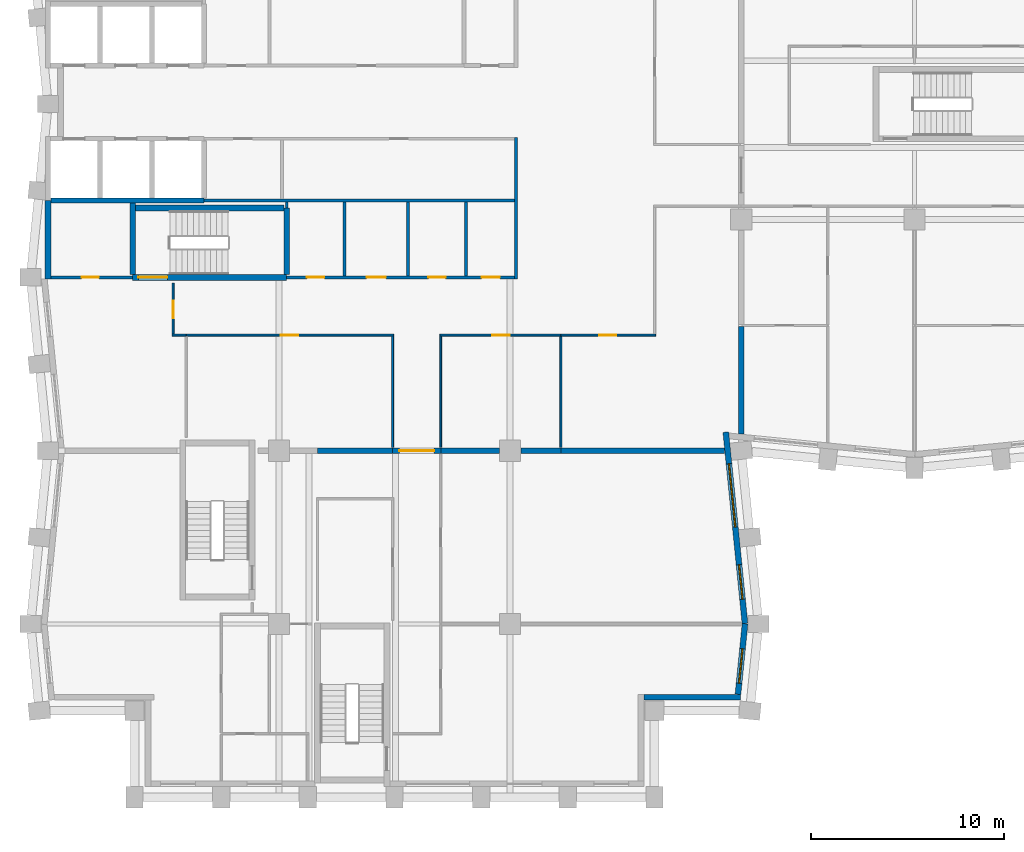
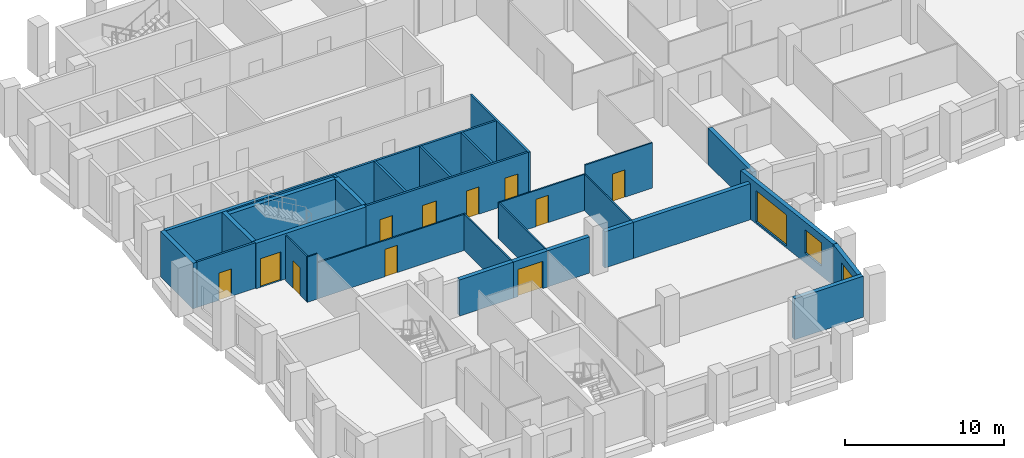
# One storey, part 4 of 10: 31 walls, 11 doors, 3 windows, 14 openings.
"""IFC4 building model written with IfcOpenShell, lengths in metres."""

from ifc_helpers import new_model, si_unit, direction, frame, frame_2d, origin, place, context, subcontext, project, spatial, rectangle, extrude, material, layer, layer_set, type_object, element, fill, save


model = new_model("IFC4")

# Units and contexts
model_context = context("Model", 3, precision=1e-05, world=origin(), true_north=direction((0.0, 1.0)))
body_context = subcontext(model_context, "Body", "Model", "MODEL_VIEW")
ifc_project = project(units=[si_unit("LENGTHUNIT", "METRE"), si_unit("AREAUNIT", "SQUARE_METRE"), si_unit("VOLUMEUNIT", "CUBIC_METRE"), si_unit("PLANEANGLEUNIT", "RADIAN"), si_unit("MASSUNIT", "GRAM", prefix="KILO")], contexts=[model_context])

# Site, building, storey
site_placement = place(None, origin())
site = spatial("IfcSite", under=ifc_project, at=site_placement, CompositionType="ELEMENT")
building_placement = place(site_placement, origin())
building = spatial("IfcBuilding", under=site, at=building_placement, Name="Brondeck Convention Tower", CompositionType="ELEMENT")
storey_placement = place(building_placement, frame((0.0, 0.0, 173.800048828125)))
storey = spatial("IfcBuildingStorey", under=building, at=storey_placement, Name="L42", CompositionType="ELEMENT", Elevation=173.800048828125)

# Wall
ifc_material_1 = material(Name="Concrete compartment wall C30/37", Category="concrete")
ifc_layer_1 = layer(ifc_material_1, 0.300048828125)
ifc_layer_set_1 = layer_set([ifc_layer_1], Name="Compartment wall 300")
wall_type_1 = type_object("IfcWallType", Name="Compartment wall 300", PredefinedType="PARTITIONING", material=ifc_layer_set_1)
wall_1_placement = place(storey_placement, frame((14.0, 27.0, 0.0), z_axis=(0.0, 0.0, 1.0), x_axis=(1.0, 0.0, 0.0)))
element("IfcWall", 1, at=wall_1_placement, inside=storey, type_object=wall_type_1, Name="FLR-L42-W023", PredefinedType="PARTITIONING", context=body_context, shape_type="SweptSolid", body=[
    extrude(rectangle(XDim=3.89990234375, YDim=0.300048828125, at=frame_2d((1.949951171875, 0.0))), origin(), (0.0, 0.0, 1.0), 2.780029296875),
])

# Wall, opening, door
wall_2_placement = place(storey_placement, frame((20.39990234375, 27.0, 0.0), z_axis=(0.0, 0.0, 1.0), x_axis=(-1.0, 0.0, 0.0)))
wall_2 = element("IfcWall", 2, at=wall_2_placement, inside=storey, type_object=wall_type_1, Name="FLR-L42-W024", PredefinedType="PARTITIONING", context=body_context, shape_type="SweptSolid", body=[
    extrude(rectangle(XDim=2.5, YDim=0.300048828125, at=frame_2d((1.25, 0.0))), origin(), (0.0, 0.0, 1.0), 2.780029296875),
])
opening_1_placement = place(wall_2_placement, frame((0.35009765625, 0.0, 0.0)))
opening_1 = element("IfcOpeningElement", 3, at=opening_1_placement, cuts=wall_2, Name="Opening OF-H-022", PredefinedType="OPENING", context=body_context, shape_type="SweptSolid", body=[
    extrude(rectangle(XDim=1.800048828125, YDim=2.10009765625, at=frame_2d((0.89990234375, 1.050048828125))), frame((0.0, 0.159912109375, 0.0), z_axis=(0.0, -1.0, 0.0), x_axis=(1.0, 0.0, 0.0)), (0.0, 0.0, 1.0), 0.320068359375),
])
ifc_material_2 = material(Name="Steel fire door pair", Category="steel")
door_type_1 = type_object("IfcDoorType", Name="Fire door pair 1800", OperationType="DOUBLE_DOOR_SINGLE_SWING", PredefinedType="DOOR", material=ifc_material_2)
door_1_placement = place(opening_1_placement, origin())
door_1 = element("IfcDoor", 4, at=door_1_placement, inside=storey, type_object=door_type_1, Name="Door OF-H-022", OperationType="DOUBLE_DOOR_SINGLE_SWING", OverallHeight=2.10009765625, OverallWidth=1.800048828125, PredefinedType="DOOR", context=body_context, shape_type="SweptSolid", body=[
    extrude(rectangle(XDim=1.800048828125, YDim=2.10009765625, at=frame_2d((0.89990234375, 1.050048828125))), frame((0.0, 0.02490234375, 0.0), z_axis=(0.0, -1.0, 0.0), x_axis=(1.0, 0.0, 0.0)), (0.0, 0.0, 1.0), 0.050048828125),
])
fill(opening_1, door_1)

# Walls
wall_3_placement = place(storey_placement, frame((20.39990234375, 27.0, 0.0), z_axis=(0.0, 0.0, 1.0), x_axis=(1.0, 0.0, 0.0)))
element("IfcWall", 5, at=wall_3_placement, inside=storey, type_object=wall_type_1, Name="FLR-L42-W025", PredefinedType="PARTITIONING", context=body_context, shape_type="SweptSolid", body=[
    extrude(rectangle(XDim=3.045166015625, YDim=0.300048828125, at=frame_2d((1.5224609375, 0.0))), origin(), (0.0, 0.0, 1.0), 2.780029296875),
])
wall_4_placement = place(storey_placement, frame((24.554931640625, 27.0, 0.0), z_axis=(0.0, 0.0, 1.0), x_axis=(1.0, 0.0, 0.0)))
element("IfcWall", 6, at=wall_4_placement, inside=storey, type_object=wall_type_1, Name="FLR-L42-W026", PredefinedType="PARTITIONING", context=body_context, shape_type="SweptSolid", body=[
    extrude(rectangle(XDim=2.0849609375, YDim=0.300048828125, at=frame_2d((1.04248046875, 0.0))), origin(), (0.0, 0.0, 1.0), 2.780029296875),
])
wall_5_placement = place(storey_placement, frame((26.639892578125, 27.0, 0.0), z_axis=(0.0, 0.0, 1.0), x_axis=(1.0, 0.0, 0.0)))
element("IfcWall", 7, at=wall_5_placement, inside=storey, type_object=wall_type_1, Name="FLR-L42-W027", PredefinedType="PARTITIONING", context=body_context, shape_type="SweptSolid", body=[
    extrude(rectangle(XDim=8.48583984375, YDim=0.300048828125, at=frame_2d((4.242919921875, 0.0))), origin(), (0.0, 0.0, 1.0), 2.780029296875),
])
wall_6_placement = place(storey_placement, frame((36.0, 27.874267578125, 0.0), z_axis=(0.0, 0.0, 1.0), x_axis=(0.0, 1.0, 0.0)))
element("IfcWall", 8, at=wall_6_placement, inside=storey, type_object=wall_type_1, Name="FLR-L42-W030", PredefinedType="PARTITIONING", context=body_context, shape_type="SweptSolid", body=[
    extrude(rectangle(XDim=5.57568359375, YDim=0.300048828125, at=frame_2d((2.787841796875, 0.0))), origin(), (0.0, 0.0, 1.0), 2.780029296875),
])

# Wall, openings, doors
ifc_material_3 = material(Name="Concrete C70/85", Category="concrete")
ifc_layer_2 = layer(ifc_material_3, 0.14990234375)
ifc_layer_set_2 = layer_set([ifc_layer_2], Name="Core beam-seat wall 150 Concrete C70/85")
wall_type_2 = type_object("IfcWallType", Name="Core beam-seat wall 150 Concrete C70/85", PredefinedType="SHEAR", material=ifc_layer_set_2)
wall_7_placement = place(storey_placement, frame((12.39990234375, 36.0, 0.0), z_axis=(0.0, 0.0, 1.0), x_axis=(1.0, 0.0, 0.0)))
wall_7 = element("IfcWall", 9, at=wall_7_placement, inside=storey, type_object=wall_type_2, Name="L42 core wall", PredefinedType="SHEAR", context=body_context, shape_type="SweptSolid", body=[
    extrude(rectangle(XDim=11.8251953125, YDim=0.14990234375, at=frame_2d((5.91259765625, 0.0))), origin(), (0.0, 0.0, 1.0), 3.5),
])
opening_2_placement = place(wall_7_placement, frame((1.050048828125, 0.0, 0.0)))
opening_2 = element("IfcOpeningElement", 10, at=opening_2_placement, cuts=wall_7, Name="Opening C23-03", PredefinedType="OPENING", context=body_context, shape_type="SweptSolid", body=[
    extrude(rectangle(XDim=0.89990234375, YDim=2.10009765625, at=frame_2d((0.449951171875, 1.050048828125))), frame((0.0, 0.0849609375, 0.0), z_axis=(0.0, -1.0, 0.0), x_axis=(1.0, 0.0, 0.0)), (0.0, 0.0, 1.0), 0.169921875),
])
opening_3_placement = place(wall_7_placement, frame((4.14990234375, 0.0, 0.0)))
opening_3 = element("IfcOpeningElement", 11, at=opening_3_placement, cuts=wall_7, Name="Opening C23-04", PredefinedType="OPENING", context=body_context, shape_type="SweptSolid", body=[
    extrude(rectangle(XDim=1.0, YDim=2.10009765625, at=frame_2d((0.5, 1.050048828125))), frame((0.0, 0.0849609375, 0.0), z_axis=(0.0, -1.0, 0.0), x_axis=(1.0, 0.0, 0.0)), (0.0, 0.0, 1.0), 0.169921875),
])
opening_4_placement = place(wall_7_placement, frame((7.35009765625, 0.0, 0.0)))
opening_4 = element("IfcOpeningElement", 12, at=opening_4_placement, cuts=wall_7, Name="Opening C23-05", PredefinedType="OPENING", context=body_context, shape_type="SweptSolid", body=[
    extrude(rectangle(XDim=0.89990234375, YDim=2.10009765625, at=frame_2d((0.449951171875, 1.050048828125))), frame((0.0, 0.0849609375, 0.0), z_axis=(0.0, -1.0, 0.0), x_axis=(1.0, 0.0, 0.0)), (0.0, 0.0, 1.0), 0.169921875),
])
opening_5_placement = place(wall_7_placement, frame((10.125, 0.0, 0.0)))
opening_5 = element("IfcOpeningElement", 13, at=opening_5_placement, cuts=wall_7, Name="Opening C23-06", PredefinedType="OPENING", context=body_context, shape_type="SweptSolid", body=[
    extrude(rectangle(XDim=0.949951171875, YDim=2.10009765625, at=frame_2d((0.47509765625, 1.050048828125))), frame((0.0, 0.0849609375, 0.0), z_axis=(0.0, -1.0, 0.0), x_axis=(1.0, 0.0, 0.0)), (0.0, 0.0, 1.0), 0.169921875),
])
ifc_material_4 = material(Name="Steel fire door", Category="steel")
door_type_2 = type_object("IfcDoorType", Name="Room door 1000x2100 EI 60", OperationType="NOTDEFINED", PredefinedType="DOOR", material=ifc_material_4)
door_2_placement = place(opening_3_placement, origin())
door_2 = element("IfcDoor", 14, at=door_2_placement, inside=storey, type_object=door_type_2, Name="L42 Room door FR-2", OperationType="SINGLE_SWING_LEFT", OverallHeight=2.10009765625, OverallWidth=1.0, PredefinedType="DOOR", context=body_context, shape_type="SweptSolid", body=[
    extrude(rectangle(XDim=1.0, YDim=2.10009765625, at=frame_2d((0.5, 1.050048828125))), frame((0.0, 0.02490234375, 0.0), z_axis=(0.0, -1.0, 0.0), x_axis=(1.0, 0.0, 0.0)), (0.0, 0.0, 1.0), 0.050048828125),
])
fill(opening_3, door_2)
door_type_3 = type_object("IfcDoorType", Name="Room door 900x2100 EI 60", OperationType="NOTDEFINED", PredefinedType="DOOR", material=ifc_material_4)
door_3_placement = place(opening_2_placement, origin())
door_3 = element("IfcDoor", 15, at=door_3_placement, inside=storey, type_object=door_type_3, Name="L42 Room door FR-1", OperationType="SINGLE_SWING_RIGHT", OverallHeight=2.10009765625, OverallWidth=0.89990234375, PredefinedType="DOOR", context=body_context, shape_type="SweptSolid", body=[
    extrude(rectangle(XDim=0.89990234375, YDim=2.10009765625, at=frame_2d((0.449951171875, 1.050048828125))), frame((0.0, 0.02490234375, 0.0), z_axis=(0.0, -1.0, 0.0), x_axis=(1.0, 0.0, 0.0)), (0.0, 0.0, 1.0), 0.050048828125),
])
fill(opening_2, door_3)
door_4_placement = place(opening_4_placement, origin())
door_4 = element("IfcDoor", 16, at=door_4_placement, inside=storey, type_object=door_type_3, Name="L42 Room door FR-3", OperationType="SINGLE_SWING_RIGHT", OverallHeight=2.10009765625, OverallWidth=0.89990234375, PredefinedType="DOOR", context=body_context, shape_type="SweptSolid", body=[
    extrude(rectangle(XDim=0.89990234375, YDim=2.10009765625, at=frame_2d((0.449951171875, 1.050048828125))), frame((0.0, 0.02490234375, 0.0), z_axis=(0.0, -1.0, 0.0), x_axis=(1.0, 0.0, 0.0)), (0.0, 0.0, 1.0), 0.050048828125),
])
fill(opening_4, door_4)
door_type_4 = type_object("IfcDoorType", Name="Room door 950x2100 EI 60", OperationType="NOTDEFINED", PredefinedType="DOOR", material=ifc_material_4)
door_5_placement = place(opening_5_placement, origin())
door_5 = element("IfcDoor", 17, at=door_5_placement, inside=storey, type_object=door_type_4, Name="L42 Room door FR-4", OperationType="SINGLE_SWING_LEFT", OverallHeight=2.10009765625, OverallWidth=0.949951171875, PredefinedType="DOOR", context=body_context, shape_type="SweptSolid", body=[
    extrude(rectangle(XDim=0.949951171875, YDim=2.10009765625, at=frame_2d((0.47509765625, 1.050048828125))), frame((0.0, 0.02490234375, 0.0), z_axis=(0.0, -1.0, 0.0), x_axis=(1.0, 0.0, 0.0)), (0.0, 0.0, 1.0), 0.050048828125),
])
fill(opening_5, door_5)

# Wall
ifc_layer_3 = layer(ifc_material_3, 0.300048828125)
ifc_layer_set_3 = layer_set([ifc_layer_3], Name="Core outer wall 300 Concrete C70/85")
wall_type_3 = type_object("IfcWallType", Name="Core outer wall 300 Concrete C70/85", PredefinedType="SHEAR", material=ifc_layer_set_3)
wall_8_placement = place(storey_placement, frame((0.0, 35.925048828125, 0.0), z_axis=(0.0, 0.0, 1.0), x_axis=(0.0, 1.0, 0.0)))
element("IfcWall", 18, at=wall_8_placement, inside=storey, type_object=wall_type_3, Name="L42 core wall", PredefinedType="SHEAR", context=body_context, shape_type="SweptSolid", body=[
    extrude(rectangle(XDim=4.074951171875, YDim=0.300048828125, at=frame_2d((2.03759765625, 0.0))), origin(), (0.0, 0.0, 1.0), 3.5),
])

# Wall, opening, door
ifc_material_5 = material(Name="Fire-rated gypsum board partition")
ifc_layer_4 = layer(ifc_material_5, 0.14990234375)
ifc_layer_set_4 = layer_set([ifc_layer_4], Name="Core partition 150 EI 60")
wall_type_4 = type_object("IfcWallType", Name="Core partition 150 EI 60", PredefinedType="PARTITIONING", material=ifc_layer_set_4)
wall_9_placement = place(storey_placement, frame((0.14990234375, 36.0, 0.0), z_axis=(0.0, 0.0, 1.0), x_axis=(1.0, 0.0, 0.0)))
wall_9 = element("IfcWall", 19, at=wall_9_placement, inside=storey, type_object=wall_type_4, Name="L42 core wall", PredefinedType="PARTITIONING", context=body_context, shape_type="SweptSolid", body=[
    extrude(rectangle(XDim=4.25, YDim=0.14990234375, at=frame_2d((2.125, 0.0))), origin(), (0.0, 0.0, 1.0), 3.5),
])
opening_6_placement = place(wall_9_placement, frame((1.60009765625, 0.0, 0.0)))
opening_6 = element("IfcOpeningElement", 20, at=opening_6_placement, cuts=wall_9, Name="Opening C23-07", PredefinedType="OPENING", context=body_context, shape_type="SweptSolid", body=[
    extrude(rectangle(XDim=0.89990234375, YDim=2.10009765625, at=frame_2d((0.449951171875, 1.050048828125))), frame((0.0, 0.0849609375, 0.0), z_axis=(0.0, -1.0, 0.0), x_axis=(1.0, 0.0, 0.0)), (0.0, 0.0, 1.0), 0.169921875),
])
door_6_placement = place(opening_6_placement, origin())
door_6 = element("IfcDoor", 21, at=door_6_placement, inside=storey, type_object=door_type_3, Name="L42 Room door FRW-1", OperationType="SINGLE_SWING_LEFT", OverallHeight=2.10009765625, OverallWidth=0.89990234375, PredefinedType="DOOR", context=body_context, shape_type="SweptSolid", body=[
    extrude(rectangle(XDim=0.89990234375, YDim=2.10009765625, at=frame_2d((0.449951171875, 1.050048828125))), frame((0.0, 0.02490234375, 0.0), z_axis=(0.0, -1.0, 0.0), x_axis=(1.0, 0.0, 0.0)), (0.0, 0.0, 1.0), 0.050048828125),
])
fill(opening_6, door_6)

# Walls
wall_10_placement = place(storey_placement, frame((8.10009765625, 40.0, 0.0), z_axis=(0.0, 0.0, 1.0), x_axis=(1.0, 0.0, 0.0)))
element("IfcWall", 22, at=wall_10_placement, inside=storey, type_object=wall_type_4, Name="L42 core wall", PredefinedType="PARTITIONING", context=body_context, shape_type="SweptSolid", body=[
    extrude(rectangle(XDim=16.125, YDim=0.14990234375, at=frame_2d((8.0625, 0.0))), origin(), (0.0, 0.0, 1.0), 3.5),
])
wall_11_placement = place(storey_placement, frame((12.39990234375, 39.60009765625, 0.0), z_axis=(0.0, 0.0, 1.0), x_axis=(0.0, 1.0, 0.0)))
element("IfcWall", 23, at=wall_11_placement, inside=storey, type_object=wall_type_4, Name="L42 core wall", PredefinedType="PARTITIONING", context=body_context, shape_type="SweptSolid", body=[
    extrude(rectangle(XDim=0.324951171875, YDim=0.14990234375, at=frame_2d((0.16259765625, 0.0))), origin(), (0.0, 0.0, 1.0), 3.5),
])
for number, where, z_axis, x_axis, name in (
    (24, (15.39990234375, 36.074951171875, 0.0), (0.0, 0.0, 1.0), (0.0, 1.0, 0.0), "L42 core wall"),
    (25, (18.699951171875, 36.074951171875, 0.0), (0.0, 0.0, 1.0), (0.0, 1.0, 0.0), "L42 core wall"),
    (26, (21.699951171875, 36.074951171875, 0.0), (0.0, 0.0, 1.0), (0.0, 1.0, 0.0), "L42 core wall"),
):
    element("IfcWall", number, at=place(storey_placement, frame(where, z_axis=z_axis, x_axis=x_axis)), inside=storey, type_object=wall_type_4, Name=name, PredefinedType="PARTITIONING", context=body_context, shape_type="SweptSolid", body=[
        extrude(rectangle(XDim=3.85009765625, YDim=0.14990234375, at=frame_2d((1.925048828125, 0.0))), origin(), (0.0, 0.0, 1.0), 3.5),
    ])
wall_12_placement = place(storey_placement, frame((24.300048828125, 35.925048828125, 0.0), z_axis=(0.0, 0.0, 1.0), x_axis=(0.0, 1.0, 0.0)))
element("IfcWall", 27, at=wall_12_placement, inside=storey, type_object=wall_type_4, Name="L42 core wall", PredefinedType="PARTITIONING", context=body_context, shape_type="SweptSolid", body=[
    extrude(rectangle(XDim=7.349853515625, YDim=0.14990234375, at=frame_2d((3.6748046875, 0.0))), origin(), (0.0, 0.0, 1.0), 3.5),
])
ifc_material_6 = material(Name="Precast concrete C50/60 bronze finish", Category="concrete")
ifc_layer_5 = layer(ifc_material_6, 0.070068359375, Name="Bronze precast facing")
ifc_material_7 = material(Name="Mineral wool")
ifc_layer_6 = layer(ifc_material_7, 0.159912109375, Name="Insulation")
ifc_material_8 = material(Name="Concrete C35/45", Category="concrete")
ifc_layer_7 = layer(ifc_material_8, 0.070068359375, Name="Backing")
ifc_layer_set_5 = layer_set([ifc_layer_5, ifc_layer_6, ifc_layer_7], Name="External infill wall, precast concrete C50/60 bronze facing")
wall_type_5 = type_object("IfcWallType", Name="External infill wall, precast concrete C50/60 bronze facing", PredefinedType="SOLIDWALL", material=ifc_layer_set_5)
wall_13_placement = place(storey_placement, frame((35.952392578125, 14.199951171875, 0.0), z_axis=(0.0, 0.0, 1.0), x_axis=(-1.0, 0.0, 0.0)))
element("IfcWall", 28, at=wall_13_placement, inside=storey, type_object=wall_type_5, Name="ENV-EW-L42-P1-NC-SEB9-02", PredefinedType="SOLIDWALL", context=body_context, shape_type="SweptSolid", body=[
    extrude(rectangle(XDim=5.00244140625, YDim=0.300048828125, at=frame_2d((2.501220703125, 0.0))), origin(), (0.0, 0.0, 1.0), 3.14990234375),
])

# Wall, opening, window
wall_14_placement = place(storey_placement, frame((36.197998046875, 18.014892578125, 0.0), z_axis=(0.0, 0.0, 1.0), x_axis=(-0.099529980022, -0.99503456376, 0.0)))
wall_14 = element("IfcWall", 29, at=wall_14_placement, inside=storey, type_object=wall_type_5, Name="ENV-EW-L42-P1-B-E-02", PredefinedType="SOLIDWALL", context=body_context, shape_type="SweptSolid", body=[
    extrude(rectangle(XDim=3.681884765625, YDim=0.300048828125, at=frame_2d((1.8408203125, 0.0))), origin(), (0.0, 0.0, 1.0), 3.14990234375),
])
opening_7_placement = place(wall_14_placement, frame((1.30615234375, 0.0, 0.75)))
opening_7 = element("IfcOpeningElement", 30, at=opening_7_placement, cuts=wall_14, Name="Opening W10", PredefinedType="OPENING", context=body_context, shape_type="SweptSolid", body=[
    extrude(rectangle(XDim=1.800048828125, YDim=1.800048828125, at=frame_2d((0.89990234375, 0.89990234375))), frame((0.0, 0.159912109375, 0.0), z_axis=(0.0, -1.0, 0.0), x_axis=(1.0, 0.0, 0.0)), (0.0, 0.0, 1.0), 0.320068359375),
])
ifc_material_9 = material(Name="Bronze tinted double glazing", Category="glass")
window_type_1 = type_object("IfcWindowType", Name="Punched window, bronze tinted", PartitioningType="SINGLE_PANEL", PredefinedType="WINDOW", material=ifc_material_9)
window_1_placement = place(opening_7_placement, origin())
window_1 = element("IfcWindow", 31, at=window_1_placement, inside=storey, type_object=window_type_1, Name="ENV-WN-L42-P1-B-E-02", OverallHeight=1.800048828125, OverallWidth=1.800048828125, PartitioningType="SINGLE_PANEL", PredefinedType="WINDOW", context=body_context, shape_type="SweptSolid", body=[
    extrude(rectangle(XDim=1.800048828125, YDim=1.800048828125, at=frame_2d((0.89990234375, 0.89990234375))), frame((0.0, 0.030029296875, 0.0), z_axis=(0.0, -1.0, 0.0), x_axis=(1.0, 0.0, 0.0)), (0.0, 0.0, 1.0), 0.06005859375),
])
fill(opening_7, window_1)

# Wall, openings, windows
wall_15_placement = place(storey_placement, frame((35.2001953125, 27.964111328125, 0.0), z_axis=(0.0, 0.0, 1.0), x_axis=(0.099501297882, -0.995037432321, 0.0)))
wall_15 = element("IfcWall", 32, at=wall_15_placement, inside=storey, type_object=wall_type_5, Name="ENV-EW-L42-P1-B-E-01", PredefinedType="SOLIDWALL", context=body_context, shape_type="SweptSolid", body=[
    extrude(rectangle(XDim=9.98388671875, YDim=0.300048828125, at=frame_2d((4.991943359375, 0.0))), origin(), (0.0, 0.0, 1.0), 3.14990234375),
])
opening_8_placement = place(wall_15_placement, frame((1.650146484375, 0.0, 0.14990234375)))
opening_8 = element("IfcOpeningElement", 33, at=opening_8_placement, cuts=wall_15, Name="Opening W9", PredefinedType="OPENING", context=body_context, shape_type="SweptSolid", body=[
    extrude(rectangle(XDim=3.300048828125, YDim=2.39990234375, at=frame_2d((1.64990234375, 1.199951171875))), frame((0.0, 0.159912109375, 0.0), z_axis=(0.0, -1.0, 0.0), x_axis=(1.0, 0.0, 0.0)), (0.0, 0.0, 1.0), 0.320068359375),
])
opening_9_placement = place(wall_15_placement, frame((6.922607421875, 0.0, 0.75)))
opening_9 = element("IfcOpeningElement", 34, at=opening_9_placement, cuts=wall_15, Name="Opening W10", PredefinedType="OPENING", context=body_context, shape_type="SweptSolid", body=[
    extrude(rectangle(XDim=1.800048828125, YDim=1.800048828125, at=frame_2d((0.89990234375, 0.89990234375))), frame((0.0, 0.159912109375, 0.0), z_axis=(0.0, -1.0, 0.0), x_axis=(1.0, 0.0, 0.0)), (0.0, 0.0, 1.0), 0.320068359375),
])
window_type_2 = type_object("IfcWindowType", Name="Glazed flute window, bronze tinted", PartitioningType="SINGLE_PANEL", PredefinedType="WINDOW", material=ifc_material_9)
window_2_placement = place(opening_8_placement, origin())
window_2 = element("IfcWindow", 35, at=window_2_placement, inside=storey, type_object=window_type_2, Name="ENV-WN-L42-P1-B-E-00", OverallHeight=2.39990234375, OverallWidth=3.300048828125, PartitioningType="SINGLE_PANEL", PredefinedType="WINDOW", context=body_context, shape_type="SweptSolid", body=[
    extrude(rectangle(XDim=3.300048828125, YDim=2.39990234375, at=frame_2d((1.64990234375, 1.199951171875))), frame((0.0, 0.030029296875, 0.0), z_axis=(0.0, -1.0, 0.0), x_axis=(1.0, 0.0, 0.0)), (0.0, 0.0, 1.0), 0.06005859375),
])
fill(opening_8, window_2)
window_3_placement = place(opening_9_placement, origin())
window_3 = element("IfcWindow", 36, at=window_3_placement, inside=storey, type_object=window_type_1, Name="ENV-WN-L42-P1-B-E-01", OverallHeight=1.800048828125, OverallWidth=1.800048828125, PartitioningType="SINGLE_PANEL", PredefinedType="WINDOW", context=body_context, shape_type="SweptSolid", body=[
    extrude(rectangle(XDim=1.800048828125, YDim=1.800048828125, at=frame_2d((0.89990234375, 0.89990234375))), frame((0.0, 0.030029296875, 0.0), z_axis=(0.0, -1.0, 0.0), x_axis=(1.0, 0.0, 0.0)), (0.0, 0.0, 1.0), 0.06005859375),
])
fill(opening_9, window_3)

# Walls
ifc_layer_8 = layer(ifc_material_3, 0.25)
ifc_layer_set_6 = layer_set([ifc_layer_8], Name="Lift shaft wall 250 Concrete C70/85")
wall_type_6 = type_object("IfcWallType", Name="Lift shaft wall 250 Concrete C70/85", PredefinedType="SHEAR", material=ifc_layer_set_6)
wall_16_placement = place(storey_placement, frame((0.14990234375, 40.0, 0.0), z_axis=(0.0, 0.0, 1.0), x_axis=(1.0, 0.0, 0.0)))
element("IfcWall", 37, at=wall_16_placement, inside=storey, type_object=wall_type_6, Name="L42 core wall", PredefinedType="SHEAR", context=body_context, shape_type="SweptSolid", body=[
    extrude(rectangle(XDim=7.9501953125, YDim=0.25, at=frame_2d((3.97509765625, 0.0))), origin(), (0.0, 0.0, 1.0), 3.5),
])
ifc_material_10 = material(Name="Gypsum board partition on steel studs", Category="steel")
ifc_layer_9 = layer(ifc_material_10, 0.10009765625)
ifc_layer_set_7 = layer_set([ifc_layer_9], Name="Room partition 100")
wall_type_7 = type_object("IfcWallType", Name="Room partition 100", PredefinedType="PARTITIONING", material=ifc_layer_set_7)
for number, where, z_axis, x_axis, name in (
    (38, (17.89990234375, 27.169921875, 0.0), (0.0, 0.0, 1.0), (0.0, 1.0, 0.0), "FLR-L42-W028"),
    (39, (20.39990234375, 32.949951171875, 0.0), (0.0, 0.0, 1.0), (0.0, -1.0, 0.0), "FLR-L42-W032"),
    (40, (26.639892578125, 32.949951171875, 0.0), (0.0, 0.0, 1.0), (0.0, -1.0, 0.0), "FLR-L42-W033"),
):
    element("IfcWall", number, at=place(storey_placement, frame(where, z_axis=z_axis, x_axis=x_axis)), inside=storey, type_object=wall_type_7, Name=name, PredefinedType="PARTITIONING", context=body_context, shape_type="SweptSolid", body=[
        extrude(rectangle(XDim=5.780029296875, YDim=0.10009765625, at=frame_2d((2.89013671875, 0.0))), origin(), (0.0, 0.0, 1.0), 2.780029296875),
    ])
wall_17_placement = place(storey_placement, frame((7.172119140625, 33.0, 0.0), z_axis=(0.0, 0.0, 1.0), x_axis=(-1.0, 0.0, 0.0)))
element("IfcWall", 41, at=wall_17_placement, inside=storey, type_object=wall_type_7, Name="FLR-L42-W034", PredefinedType="PARTITIONING", context=body_context, shape_type="SweptSolid", body=[
    extrude(rectangle(XDim=0.72216796875, YDim=0.10009765625, at=frame_2d((0.361083984375, 0.0))), origin(), (0.0, 0.0, 1.0), 3.47998046875),
])

# Wall, opening, door
wall_18_placement = place(storey_placement, frame((17.949951171875, 33.0, 0.0), z_axis=(0.0, 0.0, 1.0), x_axis=(-1.0, 0.0, 0.0)))
wall_18 = element("IfcWall", 42, at=wall_18_placement, inside=storey, type_object=wall_type_7, Name="FLR-L42-W035", PredefinedType="PARTITIONING", context=body_context, shape_type="SweptSolid", body=[
    extrude(rectangle(XDim=10.77783203125, YDim=0.10009765625, at=frame_2d((5.388916015625, 0.0))), origin(), (0.0, 0.0, 1.0), 2.780029296875),
])
opening_10_placement = place(wall_18_placement, frame((4.964111328125, 0.0, 0.0)))
opening_10 = element("IfcOpeningElement", 43, at=opening_10_placement, cuts=wall_18, Name="Opening OF-H-016", PredefinedType="OPENING", context=body_context, shape_type="SweptSolid", body=[
    extrude(rectangle(XDim=0.89990234375, YDim=2.10009765625, at=frame_2d((0.449951171875, 1.050048828125))), frame((0.0, 0.06005859375, 0.0), z_axis=(0.0, -1.0, 0.0), x_axis=(1.0, 0.0, 0.0)), (0.0, 0.0, 1.0), 0.1201171875),
])
ifc_material_11 = material(Name="Solid timber door leaf", Category="wood")
door_type_5 = type_object("IfcDoorType", Name="Single door 900", OperationType="NOTDEFINED", PredefinedType="DOOR", material=ifc_material_11)
door_7_placement = place(opening_10_placement, origin())
door_7 = element("IfcDoor", 44, at=door_7_placement, inside=storey, type_object=door_type_5, Name="Door OF-H-016", OperationType="SINGLE_SWING_LEFT", OverallHeight=2.10009765625, OverallWidth=0.89990234375, PredefinedType="DOOR", context=body_context, shape_type="SweptSolid", body=[
    extrude(rectangle(XDim=0.89990234375, YDim=2.10009765625, at=frame_2d((0.449951171875, 1.050048828125))), frame((0.0, 0.02490234375, 0.0), z_axis=(0.0, -1.0, 0.0), x_axis=(1.0, 0.0, 0.0)), (0.0, 0.0, 1.0), 0.050048828125),
])
fill(opening_10, door_7)

wall_19_placement = place(storey_placement, frame((26.639892578125, 33.0, 0.0), z_axis=(0.0, 0.0, 1.0), x_axis=(-1.0, 0.0, 0.0)))
wall_19 = element("IfcWall", 45, at=wall_19_placement, inside=storey, type_object=wall_type_7, Name="FLR-L42-W036", PredefinedType="PARTITIONING", context=body_context, shape_type="SweptSolid", body=[
    extrude(rectangle(XDim=6.289794921875, YDim=0.10009765625, at=frame_2d((3.14501953125, 0.0))), origin(), (0.0, 0.0, 1.0), 2.780029296875),
])
opening_11_placement = place(wall_19_placement, frame((2.669921875, 0.0, 0.0)))
opening_11 = element("IfcOpeningElement", 46, at=opening_11_placement, cuts=wall_19, Name="Opening OF-H-017", PredefinedType="OPENING", context=body_context, shape_type="SweptSolid", body=[
    extrude(rectangle(XDim=0.89990234375, YDim=2.10009765625, at=frame_2d((0.449951171875, 1.050048828125))), frame((0.0, 0.06005859375, 0.0), z_axis=(0.0, -1.0, 0.0), x_axis=(1.0, 0.0, 0.0)), (0.0, 0.0, 1.0), 0.1201171875),
])
door_8_placement = place(opening_11_placement, origin())
door_8 = element("IfcDoor", 47, at=door_8_placement, inside=storey, type_object=door_type_5, Name="Door OF-H-017", OperationType="SINGLE_SWING_LEFT", OverallHeight=2.10009765625, OverallWidth=0.89990234375, PredefinedType="DOOR", context=body_context, shape_type="SweptSolid", body=[
    extrude(rectangle(XDim=0.89990234375, YDim=2.10009765625, at=frame_2d((0.449951171875, 1.050048828125))), frame((0.0, 0.02490234375, 0.0), z_axis=(0.0, -1.0, 0.0), x_axis=(1.0, 0.0, 0.0)), (0.0, 0.0, 1.0), 0.050048828125),
])
fill(opening_11, door_8)

wall_20_placement = place(storey_placement, frame((31.550048828125, 33.0, 0.0), z_axis=(0.0, 0.0, 1.0), x_axis=(-1.0, 0.0, 0.0)))
wall_20 = element("IfcWall", 48, at=wall_20_placement, inside=storey, type_object=wall_type_7, Name="FLR-L42-W037", PredefinedType="PARTITIONING", context=body_context, shape_type="SweptSolid", body=[
    extrude(rectangle(XDim=4.91015625, YDim=0.10009765625, at=frame_2d((2.455078125, 0.0))), origin(), (0.0, 0.0, 1.0), 3.47998046875),
])
opening_12_placement = place(wall_20_placement, frame((2.030029296875, 0.0, 0.0)))
opening_12 = element("IfcOpeningElement", 49, at=opening_12_placement, cuts=wall_20, Name="Opening OF-H-018", PredefinedType="OPENING", context=body_context, shape_type="SweptSolid", body=[
    extrude(rectangle(XDim=0.89990234375, YDim=2.10009765625, at=frame_2d((0.449951171875, 1.050048828125))), frame((0.0, 0.06005859375, 0.0), z_axis=(0.0, -1.0, 0.0), x_axis=(1.0, 0.0, 0.0)), (0.0, 0.0, 1.0), 0.1201171875),
])
door_9_placement = place(opening_12_placement, origin())
door_9 = element("IfcDoor", 50, at=door_9_placement, inside=storey, type_object=door_type_5, Name="Door OF-H-018", OperationType="SINGLE_SWING_LEFT", OverallHeight=2.10009765625, OverallWidth=0.89990234375, PredefinedType="DOOR", context=body_context, shape_type="SweptSolid", body=[
    extrude(rectangle(XDim=0.89990234375, YDim=2.10009765625, at=frame_2d((0.449951171875, 1.050048828125))), frame((0.0, 0.02490234375, 0.0), z_axis=(0.0, -1.0, 0.0), x_axis=(1.0, 0.0, 0.0)), (0.0, 0.0, 1.0), 0.050048828125),
])
fill(opening_12, door_9)

wall_21_placement = place(storey_placement, frame((6.5, 33.050048828125, 0.0), z_axis=(0.0, 0.0, 1.0), x_axis=(0.0, 1.0, 0.0)))
wall_21 = element("IfcWall", 51, at=wall_21_placement, inside=storey, type_object=wall_type_7, Name="FLR-L42-W038", PredefinedType="PARTITIONING", context=body_context, shape_type="SweptSolid", body=[
    extrude(rectangle(XDim=2.64990234375, YDim=0.10009765625, at=frame_2d((1.324951171875, 0.0))), origin(), (0.0, 0.0, 1.0), 3.47998046875),
])
opening_13_placement = place(wall_21_placement, frame((0.824951171875, 0.0, 0.0)))
opening_13 = element("IfcOpeningElement", 52, at=opening_13_placement, cuts=wall_21, Name="Opening OF-H-015", PredefinedType="OPENING", context=body_context, shape_type="SweptSolid", body=[
    extrude(rectangle(XDim=0.89990234375, YDim=2.10009765625, at=frame_2d((0.449951171875, 1.050048828125))), frame((0.0, 0.06005859375, 0.0), z_axis=(0.0, -1.0, 0.0), x_axis=(1.0, 0.0, 0.0)), (0.0, 0.0, 1.0), 0.1201171875),
])
door_10_placement = place(opening_13_placement, origin())
door_10 = element("IfcDoor", 53, at=door_10_placement, inside=storey, type_object=door_type_5, Name="Door OF-H-015", OperationType="SINGLE_SWING_LEFT", OverallHeight=2.10009765625, OverallWidth=0.89990234375, PredefinedType="DOOR", context=body_context, shape_type="SweptSolid", body=[
    extrude(rectangle(XDim=0.89990234375, YDim=2.10009765625, at=frame_2d((0.449951171875, 1.050048828125))), frame((0.0, 0.02490234375, 0.0), z_axis=(0.0, -1.0, 0.0), x_axis=(1.0, 0.0, 0.0)), (0.0, 0.0, 1.0), 0.050048828125),
])
fill(opening_13, door_10)

ifc_layer_10 = layer(ifc_material_3, 0.300048828125)
ifc_layer_set_8 = layer_set([ifc_layer_10], Name="Stair enclosure wall 300 Concrete C70/85")
wall_type_8 = type_object("IfcWallType", Name="Stair enclosure wall 300 Concrete C70/85", PredefinedType="SHEAR", material=ifc_layer_set_8)
wall_22_placement = place(storey_placement, frame((4.39990234375, 36.0, 0.0), z_axis=(0.0, 0.0, 1.0), x_axis=(1.0, 0.0, 0.0)))
wall_22 = element("IfcWall", 54, at=wall_22_placement, inside=storey, type_object=wall_type_8, Name="L42 core wall", PredefinedType="SHEAR", context=body_context, shape_type="SweptSolid", body=[
    extrude(rectangle(XDim=8.0, YDim=0.300048828125, at=frame_2d((4.0, 0.0))), origin(), (0.0, 0.0, 1.0), 3.5),
])
opening_14_placement = place(wall_22_placement, frame((0.300048828125, 0.0, 0.0)))
opening_14 = element("IfcOpeningElement", 55, at=opening_14_placement, cuts=wall_22, Name="Opening C23-14", PredefinedType="OPENING", context=body_context, shape_type="SweptSolid", body=[
    extrude(rectangle(XDim=1.5, YDim=2.199951171875, at=frame_2d((0.75, 1.10009765625))), frame((0.0, 0.159912109375, 0.0), z_axis=(0.0, -1.0, 0.0), x_axis=(1.0, 0.0, 0.0)), (0.0, 0.0, 1.0), 0.320068359375),
])
door_type_6 = type_object("IfcDoorType", Name="Stair door 1500x2200 EI 90", OperationType="NOTDEFINED", PredefinedType="DOOR", material=ifc_material_4)
door_11_placement = place(opening_14_placement, origin())
door_11 = element("IfcDoor", 56, at=door_11_placement, inside=storey, type_object=door_type_6, Name="L42 Stair door ST-1", OperationType="SINGLE_SWING_RIGHT", OverallHeight=2.199951171875, OverallWidth=1.5, PredefinedType="DOOR", context=body_context, shape_type="SweptSolid", body=[
    extrude(rectangle(XDim=1.5, YDim=2.199951171875, at=frame_2d((0.75, 1.10009765625))), frame((0.0, 0.02490234375, 0.0), z_axis=(0.0, -1.0, 0.0), x_axis=(1.0, 0.0, 0.0)), (0.0, 0.0, 1.0), 0.050048828125),
])
fill(opening_14, door_11)

# Walls
wall_23_placement = place(storey_placement, frame((4.550048828125, 39.60009765625, 0.0), z_axis=(0.0, 0.0, 1.0), x_axis=(1.0, 0.0, 0.0)))
element("IfcWall", 57, at=wall_23_placement, inside=storey, type_object=wall_type_8, Name="L42 core wall", PredefinedType="SHEAR", context=body_context, shape_type="SweptSolid", body=[
    extrude(rectangle(XDim=7.699951171875, YDim=0.300048828125, at=frame_2d((3.85009765625, 0.0))), origin(), (0.0, 0.0, 1.0), 3.5),
])
wall_24_placement = place(storey_placement, frame((4.39990234375, 36.14990234375, 0.0), z_axis=(0.0, 0.0, 1.0), x_axis=(0.0, 1.0, 0.0)))
element("IfcWall", 58, at=wall_24_placement, inside=storey, type_object=wall_type_8, Name="L42 core wall", PredefinedType="SHEAR", context=body_context, shape_type="SweptSolid", body=[
    extrude(rectangle(XDim=3.72509765625, YDim=0.300048828125, at=frame_2d((1.862548828125, 0.0))), origin(), (0.0, 0.0, 1.0), 3.5),
])
wall_25_placement = place(storey_placement, frame((12.39990234375, 36.14990234375, 0.0), z_axis=(0.0, 0.0, 1.0), x_axis=(0.0, 1.0, 0.0)))
element("IfcWall", 59, at=wall_25_placement, inside=storey, type_object=wall_type_8, Name="L42 core wall", PredefinedType="SHEAR", context=body_context, shape_type="SweptSolid", body=[
    extrude(rectangle(XDim=3.4501953125, YDim=0.300048828125, at=frame_2d((1.72509765625, 0.0))), origin(), (0.0, 0.0, 1.0), 3.5),
])

save(model, "model.ifc")
